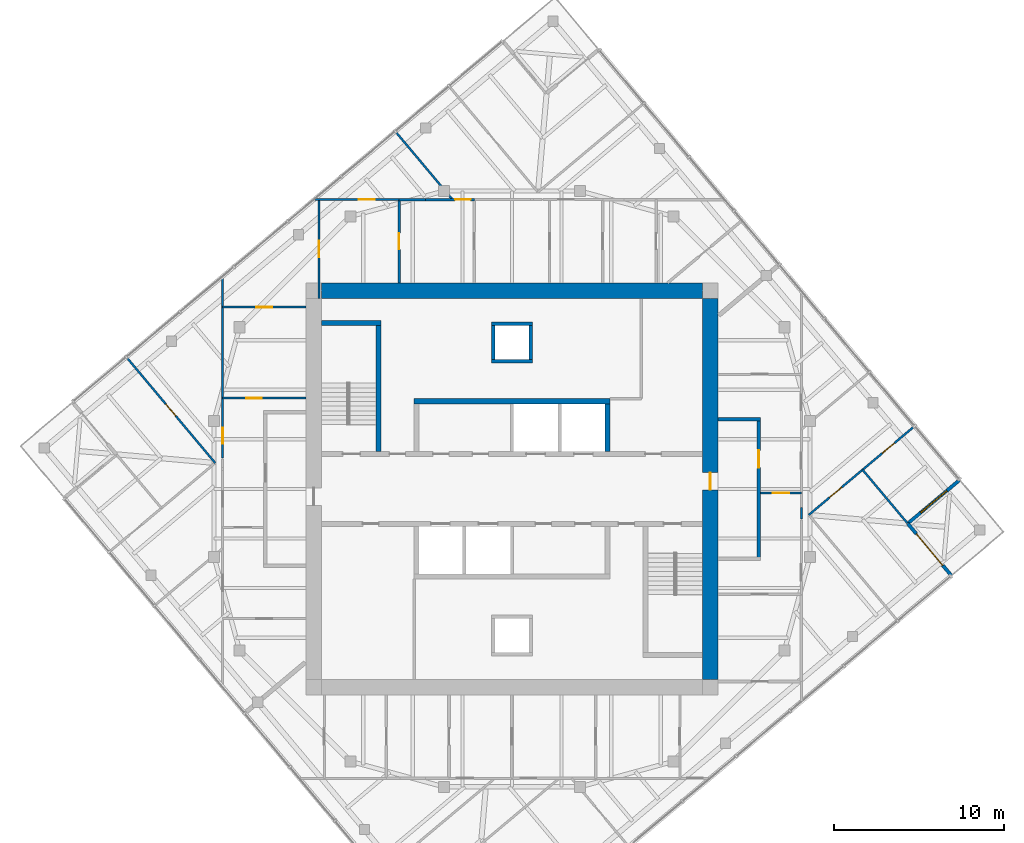
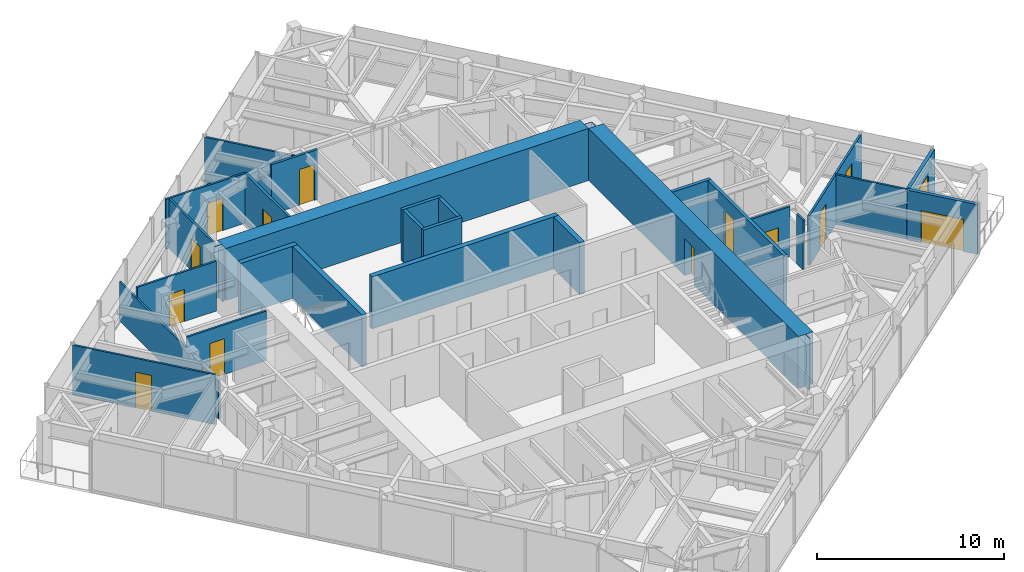
# One storey, part 9 of 11: 28 walls, 14 doors, 1 window, 15 openings.
"""IFC4 building model written with IfcOpenShell, lengths in metres."""

import ifcopenshell
import ifcopenshell.guid

model = None  # the IFC model being written
_history = None  # IfcOwnerHistory: only IFC2X3 demands one
_inside = {}  # id of a spatial element -> (the spatial element, [elements in it])
_under = {}  # id of a project, library or spatial element -> (it, [spatial elements below it])
_declared = {}  # id of a project -> (the project, [libraries it declares])
_typed = {}  # id of a type object -> (the type object, [elements of that type])
_made_of = {}  # id of a material, layer set ... -> (it, [elements and type objects made of it])


def new_model(schema):
    """Start an empty IFC model of exactly this schema.

    Asked for "IFC4X3", IfcOpenShell would pick the latest addendum, in which some entities
    have other attributes; the version numbers below select the first issue.
    IFC2X3 requires an IfcOwnerHistory on every rooted entity: one is made here for all.
    """
    global model, _history
    if schema == "IFC4X3":
        model = ifcopenshell.file(schema_version=(4, 3, 0, 0))
    else:
        model = ifcopenshell.file(schema=schema)
    _inside.clear()
    _under.clear()
    _declared.clear()
    _typed.clear()
    _made_of.clear()
    _history = None
    if model.schema == "IFC2X3":
        org = make("IfcOrganization", Name="unknown")
        user = make(
            "IfcPersonAndOrganization",
            ThePerson=make("IfcPerson", FamilyName="unknown"),
            TheOrganization=org,
        )
        app = make(
            "IfcApplication",
            ApplicationDeveloper=org,
            Version="unknown",
            ApplicationFullName="unknown",
            ApplicationIdentifier="unknown",
        )
        _history = make(
            "IfcOwnerHistory",
            OwningUser=user,
            OwningApplication=app,
            ChangeAction="ADDED",
            CreationDate=0,
        )
    return model


def make(cls, **values):
    """One entity of the class cls with the attributes given. An attribute that is None is left unset."""
    return model.create_entity(
        cls, **{name: value for name, value in values.items() if value is not None}
    )


def rooted(cls, **values):
    """An entity with a GlobalId (a new one), such as an element, a storey or a relation."""
    return make(cls, GlobalId=ifcopenshell.guid.new(), OwnerHistory=_history, **values)


def si_unit(unit_type, name, prefix=None):
    """IfcSIUnit, for example si_unit("LENGTHUNIT", "METRE", prefix="MILLI")."""
    return make("IfcSIUnit", UnitType=unit_type, Prefix=prefix, Name=name)


def assignment(units):
    """IfcUnitAssignment: the units of a project."""
    return None if units is None else make("IfcUnitAssignment", Units=units)


def point(xyz):
    """IfcCartesianPoint."""
    return None if xyz is None else make("IfcCartesianPoint", Coordinates=xyz)


def direction(xyz):
    """IfcDirection."""
    return None if xyz is None else make("IfcDirection", DirectionRatios=xyz)


def frame(location, z_axis=None, x_axis=None):
    """IfcAxis2Placement3D, a coordinate frame: its origin and axes. An axis left out is left unset."""
    return make(
        "IfcAxis2Placement3D",
        Location=point(location),
        Axis=direction(z_axis),
        RefDirection=direction(x_axis),
    )


def frame_2d(location, x_axis=None):
    """IfcAxis2Placement2D, a coordinate frame in the plane: its origin and x axis."""
    return make(
        "IfcAxis2Placement2D", Location=point(location), RefDirection=direction(x_axis)
    )


def origin():
    """The frame at (0, 0, 0) with its axes left unset."""
    return frame((0.0, 0.0, 0.0))


def place(relative_to, where):
    """IfcLocalPlacement: puts the frame where relative to a parent placement (None: the world)."""
    return make(
        "IfcLocalPlacement", PlacementRelTo=relative_to, RelativePlacement=where
    )


def context(
    kind, dimensions, precision=None, world=None, true_north=None, identifier=None
):
    """IfcGeometricRepresentationContext, for example the 3D "Model" context."""
    return make(
        "IfcGeometricRepresentationContext",
        ContextIdentifier=identifier,
        ContextType=kind,
        CoordinateSpaceDimension=dimensions,
        Precision=precision,
        WorldCoordinateSystem=world,
        TrueNorth=true_north,
    )


def subcontext(parent, identifier, kind, view, scale=None):
    """IfcGeometricRepresentationSubContext, for example "Body" below "Model"."""
    return make(
        "IfcGeometricRepresentationSubContext",
        ContextIdentifier=identifier,
        ContextType=kind,
        ParentContext=parent,
        TargetScale=scale,
        TargetView=view,
    )


def project(units=None, contexts=None):
    """IfcProject with its units and contexts."""
    return rooted(
        "IfcProject",
        Name="project",
        RepresentationContexts=contexts,
        UnitsInContext=assignment(units),
    )


def spatial(cls, under=None, at=None, **own):
    """A site, building, storey or space (cls), placed at a placement, below another one or the project."""
    s = rooted(cls, ObjectPlacement=at, **own)
    if under is not None:
        _under.setdefault(under.id(), (under, []))[1].append(s)
    return s


def polyline(points):
    """IfcPolyline through the points."""
    return make("IfcPolyline", Points=[point(p) for p in points])


def profile(cls, at=None, kind="AREA", **sizes):
    """A parametric profile (cls). Its sizes go by their IFC names, for example OverallWidth=200.0."""
    return make(cls, ProfileType=kind, Position=at, **sizes)


def rectangle(**sizes):
    """IfcRectangleProfileDef."""
    return profile("IfcRectangleProfileDef", **sizes)


def outline(outer, holes=None, kind="AREA"):
    """IfcArbitraryClosedProfileDef: a profile drawn as a closed curve; with holes, ...WithVoids."""
    if holes is None:
        return make("IfcArbitraryClosedProfileDef", ProfileType=kind, OuterCurve=outer)
    return make(
        "IfcArbitraryProfileDefWithVoids",
        ProfileType=kind,
        OuterCurve=outer,
        InnerCurves=holes,
    )


def extrude(swept, where, along, depth):
    """IfcExtrudedAreaSolid: the profile swept, set in the frame where, extruded along a direction by depth."""
    return make(
        "IfcExtrudedAreaSolid",
        SweptArea=swept,
        Position=where,
        ExtrudedDirection=direction(along),
        Depth=depth,
    )


def shape(context_of_items, identifier, shape_type, items):
    """IfcShapeRepresentation: the items that make up one representation, for example the "Body"."""
    return make(
        "IfcShapeRepresentation",
        ContextOfItems=context_of_items,
        RepresentationIdentifier=identifier,
        RepresentationType=shape_type,
        Items=items,
    )


def material(Name=None, Category=None):
    """IfcMaterial."""
    return make("IfcMaterial", Name=Name, Category=Category)


def layer(
    of_material, thickness, ventilated=None, Name=None, Category=None, Priority=None
):
    """IfcMaterialLayer: one layer of a wall or slab, of a material (None: an air gap)."""
    return make(
        "IfcMaterialLayer",
        Material=of_material,
        LayerThickness=thickness,
        IsVentilated=ventilated,
        Name=Name,
        Category=Category,
        Priority=Priority,
    )


def layer_set(layers, Name=None):
    """IfcMaterialLayerSet."""
    return make("IfcMaterialLayerSet", MaterialLayers=layers, LayerSetName=Name)


def made_of(thing, what):
    """Note that an element or type object is made of a material, layer set ...; save() writes the relation."""
    if what is not None:
        _made_of.setdefault(what.id(), (what, []))[1].append(thing)
    return thing


def type_object(cls, material=None, **own):
    """A type object (cls), such as IfcWallType, which elements share."""
    return made_of(rooted(cls, **own), material)


def element(
    cls,
    number,
    at=None,
    inside=None,
    cuts=None,
    type_object=None,
    material=None,
    context=None,
    identifier="Body",
    shape_type=None,
    held_by="IfcProductDefinitionShape",
    body=None,
    shapes=None,
    **own,
):
    """One element of the class cls, such as IfcWall. Its Tag is "e" and its number.

    at: its placement. inside: the storey or other place that contains it. cuts: it is an
    opening in that element (IfcRelVoidsElement). A single representation is given by context,
    identifier, shape_type and body (its items); several are given by shapes. held_by: the class
    of the entity that holds the representations. save() writes the other relations.
    """
    e = rooted(cls, Tag="e%d" % number, ObjectPlacement=at, **own)
    if body is not None:
        shapes = [shape(context, identifier, shape_type, body)]
    if shapes is not None:
        e.Representation = make(held_by, Representations=shapes)
    if inside is not None:
        _inside.setdefault(inside.id(), (inside, []))[1].append(e)
    if cuts is not None:
        rooted(
            "IfcRelVoidsElement", RelatingBuildingElement=cuts, RelatedOpeningElement=e
        )
    if type_object is not None:
        _typed.setdefault(type_object.id(), (type_object, []))[1].append(e)
    return made_of(e, material)


def fill(opening, filler):
    """IfcRelFillsElement: the door or window that sits in an opening."""
    return rooted(
        "IfcRelFillsElement",
        RelatingOpeningElement=opening,
        RelatedBuildingElement=filler,
    )


def aggregate(whole, parts):
    """IfcRelAggregates: a whole, such as a stair, and the parts it consists of."""
    return rooted("IfcRelAggregates", RelatingObject=whole, RelatedObjects=parts)


def save(model, path):
    """Write the relations noted so far, then the file.

    IfcRelAggregates (storeys below a building ...), IfcRelContainedInSpatialStructure (elements
    in a storey), IfcRelDefinesByType, IfcRelAssociatesMaterial and IfcRelDeclares: one each for
    every whole, place, type object, material and project.
    """
    for whole, parts in _under.values():
        aggregate(whole, parts)
    for where, things in _inside.values():
        rooted(
            "IfcRelContainedInSpatialStructure",
            RelatedElements=things,
            RelatingStructure=where,
        )
    for kind, things in _typed.values():
        rooted("IfcRelDefinesByType", RelatedObjects=things, RelatingType=kind)
    for what, things in _made_of.values():
        rooted("IfcRelAssociatesMaterial", RelatedObjects=things, RelatingMaterial=what)
    for by, libraries in _declared.values():
        rooted("IfcRelDeclares", RelatingContext=by, RelatedDefinitions=libraries)
    model.write(path)


model = new_model("IFC4")

# Units and contexts
model_context = context("Model", 3, precision=1e-05, world=origin(), true_north=direction((0.0, 1.0)))
body_context = subcontext(model_context, "Body", "Model", "MODEL_VIEW")
ifc_project = project(units=[si_unit("LENGTHUNIT", "METRE"), si_unit("AREAUNIT", "SQUARE_METRE"), si_unit("VOLUMEUNIT", "CUBIC_METRE"), si_unit("PLANEANGLEUNIT", "RADIAN"), si_unit("MASSUNIT", "GRAM", prefix="KILO")], contexts=[model_context])

# Site, building, storey
site_placement = place(None, origin())
site = spatial("IfcSite", under=ifc_project, at=site_placement, CompositionType="ELEMENT")
building_placement = place(site_placement, origin())
building = spatial("IfcBuilding", under=site, at=building_placement, Name="Torsade Residences", CompositionType="ELEMENT")
storey_placement = place(building_placement, frame((0.0, 0.0, 272.60009765625)))
storey = spatial("IfcBuildingStorey", under=building, at=storey_placement, Name="L75", CompositionType="ELEMENT", Elevation=272.60009765625)

# Walls
ifc_material_1 = material(Name="Concrete 80 MPa", Category="concrete")
ifc_layer_1 = layer(ifc_material_1, 0.300048828125)
ifc_layer_set_1 = layer_set([ifc_layer_1], Name="Concrete 80 MPa")
wall_type_1 = type_object("IfcWallType", Name="CORE INTERNAL WALL 300", PredefinedType="SHEAR", material=ifc_layer_set_1)
wall_1_placement = place(storey_placement, frame((34.25, 35.14990234375, 0.0), z_axis=(0.0, 0.0, 1.0), x_axis=(1.0, 0.0, 0.0)))
element("IfcWall", 1, at=wall_1_placement, inside=storey, type_object=wall_type_1, Name="Core wall BN L75", PredefinedType="SHEAR", context=body_context, shape_type="SweptSolid", body=[
    extrude(rectangle(XDim=11.5, YDim=0.300048828125, at=frame_2d((5.75, 0.0))), origin(), (0.0, 0.0, 1.0), 3.39990234375),
])
wall_2_placement = place(storey_placement, frame((45.60009765625, 32.199951171875, 0.0), z_axis=(0.0, 0.0, 1.0), x_axis=(0.0, 1.0, 0.0)))
element("IfcWall", 2, at=wall_2_placement, inside=storey, type_object=wall_type_1, Name="Core wall DN4 L75", PredefinedType="SHEAR", context=body_context, shape_type="SweptSolid", body=[
    extrude(rectangle(XDim=2.800048828125, YDim=0.300048828125, at=frame_2d((1.39990234375, 0.0))), origin(), (0.0, 0.0, 1.0), 3.39990234375),
])
wall_3_placement = place(storey_placement, frame((32.14990234375, 32.199951171875, 0.0), z_axis=(0.0, 0.0, 1.0), x_axis=(0.0, 1.0, 0.0)))
element("IfcWall", 3, at=wall_3_placement, inside=storey, type_object=wall_type_1, Name="Core wall ST1E L75", PredefinedType="SHEAR", context=body_context, shape_type="SweptSolid", body=[
    extrude(rectangle(XDim=7.699951171875, YDim=0.300048828125, at=frame_2d((3.85009765625, 0.0))), origin(), (0.0, 0.0, 1.0), 3.39990234375),
])
wall_4_placement = place(storey_placement, frame((28.800048828125, 39.75, 0.0), z_axis=(0.0, 0.0, 1.0), x_axis=(1.0, 0.0, 0.0)))
element("IfcWall", 4, at=wall_4_placement, inside=storey, type_object=wall_type_1, Name="Core wall ST1N L75", PredefinedType="SHEAR", context=body_context, shape_type="SweptSolid", body=[
    extrude(rectangle(XDim=3.5, YDim=0.300048828125, at=frame_2d((1.75, 0.0))), origin(), (0.0, 0.0, 1.0), 3.39990234375),
])
ifc_material_2 = material(Name="Concrete 80 MPa", Category="concrete")
ifc_layer_2 = layer(ifc_material_2, 0.89990234375)
ifc_layer_set_2 = layer_set([ifc_layer_2], Name="Concrete 80 MPa")
wall_type_2 = type_object("IfcWallType", Name="CORE WALL 900", PredefinedType="SHEAR", material=ifc_layer_set_2)
wall_5_placement = place(storey_placement, frame((28.800048828125, 41.64990234375, 0.0), z_axis=(0.0, 0.0, 1.0), x_axis=(1.0, 0.0, 0.0)))
element("IfcWall", 5, at=wall_5_placement, inside=storey, type_object=wall_type_2, Name="Core wall N L75", PredefinedType="SHEAR", context=body_context, shape_type="SweptSolid", body=[
    extrude(outline(polyline([(0.0, -0.449951171875), (22.39990234375, -0.449951171875), (22.39990234375, -0.02490234375), (22.849853515625, -0.02490234375), (22.849853515625, 0.02490234375), (22.39990234375, 0.02490234375), (22.39990234375, 0.449951171875), (0.0, 0.449951171875), (0.0, 0.02490234375), (-0.449951171875, 0.02490234375), (-0.449951171875, -0.02490234375), (0.0, -0.02490234375), (0.0, -0.449951171875)])), origin(), (0.0, 0.0, 1.0), 3.39990234375),
])

# Wall, opening, door
wall_6_placement = place(storey_placement, frame((51.64990234375, 18.800048828125, 0.0), z_axis=(0.0, 0.0, 1.0), x_axis=(0.0, 1.0, 0.0)))
wall_6 = element("IfcWall", 6, at=wall_6_placement, inside=storey, type_object=wall_type_2, Name="Core wall E L75", PredefinedType="SHEAR", context=body_context, shape_type="SweptSolid", body=[
    extrude(outline(polyline([(0.0, -0.449951171875), (22.39990234375, -0.449951171875), (22.39990234375, -0.02490234375), (22.849853515625, -0.02490234375), (22.849853515625, 0.02490234375), (22.39990234375, 0.02490234375), (22.39990234375, 0.449951171875), (0.0, 0.449951171875), (0.0, 0.02490234375), (-0.449951171875, 0.02490234375), (-0.449951171875, -0.02490234375), (0.0, -0.02490234375), (0.0, -0.449951171875)])), origin(), (0.0, 0.0, 1.0), 3.39990234375),
])
opening_1_placement = place(wall_6_placement, frame((11.139892578125, 0.0, 0.0)))
opening_1 = element("IfcOpeningElement", 7, at=opening_1_placement, cuts=wall_6, Name="Opening D04", PredefinedType="OPENING", context=body_context, shape_type="SweptSolid", body=[
    extrude(rectangle(XDim=1.02001953125, YDim=2.39990234375, at=frame_2d((0.510009765625, 1.199951171875))), frame((0.0, 0.4599609375, 0.0), z_axis=(0.0, -1.0, 0.0), x_axis=(1.0, 0.0, 0.0)), (0.0, 0.0, 1.0), 0.919921875),
])
ifc_material_3 = material(Name="Steel-framed fire door", Category="steel")
door_type_1 = type_object("IfcDoorType", Name="LOBBY SMOKE DOOR 1020x2400", OperationType="NOTDEFINED", PredefinedType="DOOR", material=ifc_material_3)
door_1_placement = place(opening_1_placement, origin())
door_1 = element("IfcDoor", 8, at=door_1_placement, inside=storey, type_object=door_type_1, Name="Lift lobby door E L75", OperationType="SINGLE_SWING_LEFT", OverallHeight=2.39990234375, OverallWidth=1.02001953125, PredefinedType="DOOR", context=body_context, shape_type="SweptSolid", body=[
    extrude(rectangle(XDim=1.02001953125, YDim=2.39990234375, at=frame_2d((0.510009765625, 1.199951171875))), frame((0.0, 0.02490234375, 0.0), z_axis=(0.0, -1.0, 0.0), x_axis=(1.0, 0.0, 0.0)), (0.0, 0.0, 1.0), 0.050048828125),
])
fill(opening_1, door_1)

ifc_material_4 = material(Name="Plasterboard on steel stud", Category="steel")
ifc_layer_3 = layer(ifc_material_4, 0.199951171875)
ifc_layer_set_3 = layer_set([ifc_layer_3], Name="Plasterboard on steel stud")
wall_type_3 = type_object("IfcWallType", Name="CORRIDOR WALL 200", PredefinedType="PARTITIONING", material=ifc_layer_set_3)
wall_7_placement = place(storey_placement, frame((54.5, 25.89990234375, 0.0), z_axis=(0.0, 0.0, 1.0), x_axis=(0.0, 1.0, 0.0)))
wall_7 = element("IfcWall", 9, at=wall_7_placement, inside=storey, type_object=wall_type_3, Name="Corridor wall L75", PredefinedType="PARTITIONING", context=body_context, shape_type="SweptSolid", body=[
    extrude(rectangle(XDim=8.2001953125, YDim=0.199951171875, at=frame_2d((4.10009765625, 0.0))), origin(), (0.0, 0.0, 1.0), 3.25),
])
opening_2_placement = place(wall_7_placement, frame((5.345703125, 0.0, 0.0)))
opening_2 = element("IfcOpeningElement", 10, at=opening_2_placement, cuts=wall_7, Name="Opening D01", PredefinedType="OPENING", context=body_context, shape_type="SweptSolid", body=[
    extrude(rectangle(XDim=1.02001953125, YDim=2.340087890625, at=frame_2d((0.510009765625, 1.169921875))), frame((0.0, 0.10986328125, 0.0), z_axis=(0.0, -1.0, 0.0), x_axis=(1.0, 0.0, 0.0)), (0.0, 0.0, 1.0), 0.219970703125),
])
ifc_material_5 = material(Name="Solid-core timber fire door", Category="wood")
door_type_2 = type_object("IfcDoorType", Name="APARTMENT ENTRY DOOR 1020x2340", OperationType="NOTDEFINED", PredefinedType="DOOR", material=ifc_material_5)
door_2_placement = place(opening_2_placement, origin())
door_2 = element("IfcDoor", 11, at=door_2_placement, inside=storey, type_object=door_type_2, Name="Door Residential corridor to Kitchen and dining", OperationType="SINGLE_SWING_RIGHT", OverallHeight=2.340087890625, OverallWidth=1.02001953125, PredefinedType="DOOR", context=body_context, shape_type="SweptSolid", body=[
    extrude(rectangle(XDim=1.02001953125, YDim=2.340087890625, at=frame_2d((0.510009765625, 1.169921875))), frame((0.0, 0.02490234375, 0.0), z_axis=(0.0, -1.0, 0.0), x_axis=(1.0, 0.0, 0.0)), (0.0, 0.0, 1.0), 0.050048828125),
])
fill(opening_2, door_2)

# Wall
wall_8_placement = place(storey_placement, frame((52.10009765625, 34.10009765625, 0.0), z_axis=(0.0, 0.0, 1.0), x_axis=(1.0, 0.0, 0.0)))
element("IfcWall", 12, at=wall_8_placement, inside=storey, type_object=wall_type_3, Name="Corridor wall L75", PredefinedType="PARTITIONING", context=body_context, shape_type="SweptSolid", body=[
    extrude(rectangle(XDim=2.5, YDim=0.199951171875, at=frame_2d((1.25, 0.0))), origin(), (0.0, 0.0, 1.0), 3.25),
])

# Wall, opening, door
ifc_material_6 = material(Name="Plasterboard on steel stud", Category="steel")
ifc_layer_4 = layer(ifc_material_6, 0.1201171875)
ifc_layer_set_4 = layer_set([ifc_layer_4], Name="Plasterboard on steel stud")
wall_type_4 = type_object("IfcWallType", Name="PARTITION 120", PredefinedType="PARTITIONING", material=ifc_layer_set_4)
wall_9_placement = place(storey_placement, frame((57.0, 29.761474609375, 0.0), z_axis=(0.0, 0.0, 1.0), x_axis=(-1.0, 0.0, 0.0)))
wall_9 = element("IfcWall", 13, at=wall_9_placement, inside=storey, type_object=wall_type_4, Name="Partition L75", PredefinedType="PARTITIONING", context=body_context, shape_type="SweptSolid", body=[
    extrude(rectangle(XDim=2.39990234375, YDim=0.1201171875, at=frame_2d((1.199951171875, 0.0))), origin(), (0.0, 0.0, 1.0), 3.25),
])
opening_3_placement = place(wall_9_placement, frame((0.719970703125, 0.0, 0.0)))
opening_3 = element("IfcOpeningElement", 14, at=opening_3_placement, cuts=wall_9, Name="Opening D05", PredefinedType="OPENING", context=body_context, shape_type="SweptSolid", body=[
    extrude(rectangle(XDim=0.9599609375, YDim=2.10009765625, at=frame_2d((0.47998046875, 1.050048828125))), frame((0.0, 0.070068359375, 0.0), z_axis=(0.0, -1.0, 0.0), x_axis=(1.0, 0.0, 0.0)), (0.0, 0.0, 1.0), 0.14013671875),
])
ifc_material_7 = material(Name="Hollow-core timber door in a steel cavity frame", Category="steel")
door_type_3 = type_object("IfcDoorType", Name="BATHROOM CAVITY SLIDING DOOR 960", OperationType="SLIDING_TO_LEFT", PredefinedType="DOOR", material=ifc_material_7)
door_3_placement = place(opening_3_placement, origin())
door_3 = element("IfcDoor", 15, at=door_3_placement, inside=storey, type_object=door_type_3, Name="Door Kitchen and dining to Bathroom", OperationType="SLIDING_TO_LEFT", OverallHeight=2.10009765625, OverallWidth=0.9599609375, PredefinedType="DOOR", context=body_context, shape_type="SweptSolid", body=[
    extrude(rectangle(XDim=0.9599609375, YDim=2.10009765625, at=frame_2d((0.47998046875, 1.050048828125))), frame((0.0, 0.02490234375, 0.0), z_axis=(0.0, -1.0, 0.0), x_axis=(1.0, 0.0, 0.0)), (0.0, 0.0, 1.0), 0.050048828125),
])
fill(opening_3, door_3)

# Wall, openings, doors
wall_10_placement = place(storey_placement, frame((57.434326171875, 28.474609375, 0.0), z_axis=(0.0, 0.0, 1.0), x_axis=(0.766033729027, 0.642800378028, 0.0)))
wall_10 = element("IfcWall", 16, at=wall_10_placement, inside=storey, type_object=wall_type_4, Name="Partition L75", PredefinedType="PARTITIONING", context=body_context, shape_type="SweptSolid", body=[
    extrude(rectangle(XDim=8.0849609375, YDim=0.1201171875, at=frame_2d((4.04248046875, 0.0))), origin(), (0.0, 0.0, 1.0), 3.25),
])
opening_4_placement = place(wall_10_placement, frame((1.6025390625, 0.0, 0.0)))
opening_4 = element("IfcOpeningElement", 17, at=opening_4_placement, cuts=wall_10, Name="Opening D02", PredefinedType="OPENING", context=body_context, shape_type="SweptSolid", body=[
    extrude(rectangle(XDim=0.919921875, YDim=2.340087890625, at=frame_2d((0.4599609375, 1.169921875))), frame((0.0, 0.070068359375, 0.0), z_axis=(0.0, -1.0, 0.0), x_axis=(1.0, 0.0, 0.0)), (0.0, 0.0, 1.0), 0.14013671875),
])
opening_5_placement = place(wall_10_placement, frame((5.639892578125, 0.0, 0.0)))
opening_5 = element("IfcOpeningElement", 18, at=opening_5_placement, cuts=wall_10, Name="Opening D02", PredefinedType="OPENING", context=body_context, shape_type="SweptSolid", body=[
    extrude(rectangle(XDim=0.919921875, YDim=2.340087890625, at=frame_2d((0.4599609375, 1.169921875))), frame((0.0, 0.070068359375, 0.0), z_axis=(0.0, -1.0, 0.0), x_axis=(1.0, 0.0, 0.0)), (0.0, 0.0, 1.0), 0.14013671875),
])
ifc_material_8 = material(Name="Hollow-core timber door", Category="wood")
door_type_4 = type_object("IfcDoorType", Name="INTERNAL DOOR 920x2340", OperationType="NOTDEFINED", PredefinedType="DOOR", material=ifc_material_8)
door_4_placement = place(opening_4_placement, origin())
door_4 = element("IfcDoor", 19, at=door_4_placement, inside=storey, type_object=door_type_4, Name="Door Bedroom 4 to Bedroom 1", OperationType="SINGLE_SWING_LEFT", OverallHeight=2.340087890625, OverallWidth=0.919921875, PredefinedType="DOOR", context=body_context, shape_type="SweptSolid", body=[
    extrude(rectangle(XDim=0.919921875, YDim=2.340087890625, at=frame_2d((0.4599609375, 1.169921875))), frame((0.0, 0.02490234375, 0.0), z_axis=(0.0, -1.0, 0.0), x_axis=(1.0, 0.0, 0.0)), (0.0, 0.0, 1.0), 0.050048828125),
])
fill(opening_4, door_4)
door_5_placement = place(opening_5_placement, origin())
door_5 = element("IfcDoor", 20, at=door_5_placement, inside=storey, type_object=door_type_4, Name="Door Bedroom 4 to Study 2", OperationType="SINGLE_SWING_RIGHT", OverallHeight=2.340087890625, OverallWidth=0.919921875, PredefinedType="DOOR", context=body_context, shape_type="SweptSolid", body=[
    extrude(rectangle(XDim=0.919921875, YDim=2.340087890625, at=frame_2d((0.4599609375, 1.169921875))), frame((0.0, 0.02490234375, 0.0), z_axis=(0.0, -1.0, 0.0), x_axis=(1.0, 0.0, 0.0)), (0.0, 0.0, 1.0), 0.050048828125),
])
fill(opening_5, door_5)

# Wall
wall_11_placement = place(storey_placement, frame((60.59423828125, 31.126220703125, 0.0), z_axis=(0.0, 0.0, 1.0), x_axis=(0.642767300664, -0.766061483953, 0.0)))
element("IfcWall", 21, at=wall_11_placement, inside=storey, type_object=wall_type_4, Name="Partition L75", PredefinedType="PARTITIONING", context=body_context, shape_type="SweptSolid", body=[
    extrude(rectangle(XDim=4.0849609375, YDim=0.1201171875, at=frame_2d((2.04248046875, 0.0))), origin(), (0.0, 0.0, 1.0), 3.25),
])

# Wall, opening, door
wall_12_placement = place(storey_placement, frame((23.0, 35.333251953125, 0.0), z_axis=(0.0, 0.0, 1.0), x_axis=(1.0, 0.0, 0.0)))
wall_12 = element("IfcWall", 22, at=wall_12_placement, inside=storey, type_object=wall_type_4, Name="Partition L75", PredefinedType="PARTITIONING", context=body_context, shape_type="SweptSolid", body=[
    extrude(rectangle(XDim=4.89990234375, YDim=0.1201171875, at=frame_2d((2.449951171875, 0.0))), origin(), (0.0, 0.0, 1.0), 3.25),
])
opening_6_placement = place(wall_12_placement, frame((1.389892578125, 0.0, 0.0)))
opening_6 = element("IfcOpeningElement", 23, at=opening_6_placement, cuts=wall_12, Name="Opening D02", PredefinedType="OPENING", context=body_context, shape_type="SweptSolid", body=[
    extrude(rectangle(XDim=0.919921875, YDim=2.340087890625, at=frame_2d((0.4599609375, 1.169921875))), frame((0.0, 0.070068359375, 0.0), z_axis=(0.0, -1.0, 0.0), x_axis=(1.0, 0.0, 0.0)), (0.0, 0.0, 1.0), 0.14013671875),
])
door_6_placement = place(opening_6_placement, origin())
door_6 = element("IfcDoor", 24, at=door_6_placement, inside=storey, type_object=door_type_4, Name="Door Kitchen and dining to Scullery", OperationType="SINGLE_SWING_LEFT", OverallHeight=2.340087890625, OverallWidth=0.919921875, PredefinedType="DOOR", context=body_context, shape_type="SweptSolid", body=[
    extrude(rectangle(XDim=0.919921875, YDim=2.340087890625, at=frame_2d((0.4599609375, 1.169921875))), frame((0.0, 0.02490234375, 0.0), z_axis=(0.0, -1.0, 0.0), x_axis=(1.0, 0.0, 0.0)), (0.0, 0.0, 1.0), 0.050048828125),
])
fill(opening_6, door_6)

wall_13_placement = place(storey_placement, frame((23.0, 31.824462890625, 0.0), z_axis=(0.0, 0.0, 1.0), x_axis=(0.0, 1.0, 0.0)))
wall_13 = element("IfcWall", 25, at=wall_13_placement, inside=storey, type_object=wall_type_4, Name="Partition L75", PredefinedType="PARTITIONING", context=body_context, shape_type="SweptSolid", body=[
    extrude(rectangle(XDim=10.619384765625, YDim=0.1201171875, at=frame_2d((5.3095703125, 0.0))), origin(), (0.0, 0.0, 1.0), 2.5498046875),
])
opening_7_placement = place(wall_13_placement, frame((0.844482421875, 0.0, 0.0)))
opening_7 = element("IfcOpeningElement", 26, at=opening_7_placement, cuts=wall_13, Name="Opening D02", PredefinedType="OPENING", context=body_context, shape_type="SweptSolid", body=[
    extrude(rectangle(XDim=0.919921875, YDim=2.340087890625, at=frame_2d((0.4599609375, 1.169921875))), frame((0.0, 0.070068359375, 0.0), z_axis=(0.0, -1.0, 0.0), x_axis=(1.0, 0.0, 0.0)), (0.0, 0.0, 1.0), 0.14013671875),
])
door_7_placement = place(opening_7_placement, origin())
door_7 = element("IfcDoor", 27, at=door_7_placement, inside=storey, type_object=door_type_4, Name="Door Kitchen and dining to Bedroom 3", OperationType="SINGLE_SWING_RIGHT", OverallHeight=2.340087890625, OverallWidth=0.919921875, PredefinedType="DOOR", context=body_context, shape_type="SweptSolid", body=[
    extrude(rectangle(XDim=0.919921875, YDim=2.340087890625, at=frame_2d((0.4599609375, 1.169921875))), frame((0.0, 0.02490234375, 0.0), z_axis=(0.0, -1.0, 0.0), x_axis=(1.0, 0.0, 0.0)), (0.0, 0.0, 1.0), 0.050048828125),
])
fill(opening_7, door_7)

wall_14_placement = place(storey_placement, frame((23.0, 40.67626953125, 0.0), z_axis=(0.0, 0.0, 1.0), x_axis=(1.0, 0.0, 0.0)))
wall_14 = element("IfcWall", 28, at=wall_14_placement, inside=storey, type_object=wall_type_4, Name="Partition L75", PredefinedType="PARTITIONING", context=body_context, shape_type="SweptSolid", body=[
    extrude(rectangle(XDim=4.89990234375, YDim=0.1201171875, at=frame_2d((2.449951171875, 0.0))), origin(), (0.0, 0.0, 1.0), 3.25),
])
opening_8_placement = place(wall_14_placement, frame((1.989990234375, 0.0, 0.0)))
opening_8 = element("IfcOpeningElement", 29, at=opening_8_placement, cuts=wall_14, Name="Opening D02L", PredefinedType="OPENING", context=body_context, shape_type="SweptSolid", body=[
    extrude(rectangle(XDim=0.919921875, YDim=2.10009765625, at=frame_2d((0.4599609375, 1.050048828125))), frame((0.0, 0.070068359375, 0.0), z_axis=(0.0, -1.0, 0.0), x_axis=(1.0, 0.0, 0.0)), (0.0, 0.0, 1.0), 0.14013671875),
])
ifc_material_9 = material(Name="Hollow-core timber door", Category="wood")
door_type_5 = type_object("IfcDoorType", Name="INTERNAL DOOR 920x2100", OperationType="NOTDEFINED", PredefinedType="DOOR", material=ifc_material_9)
door_8_placement = place(opening_8_placement, origin())
door_8 = element("IfcDoor", 30, at=door_8_placement, inside=storey, type_object=door_type_5, Name="Door Scullery to Dressing room 2", OperationType="SINGLE_SWING_LEFT", OverallHeight=2.10009765625, OverallWidth=0.919921875, PredefinedType="DOOR", context=body_context, shape_type="SweptSolid", body=[
    extrude(rectangle(XDim=0.919921875, YDim=2.10009765625, at=frame_2d((0.4599609375, 1.050048828125))), frame((0.0, 0.02490234375, 0.0), z_axis=(0.0, -1.0, 0.0), x_axis=(1.0, 0.0, 0.0)), (0.0, 0.0, 1.0), 0.050048828125),
])
fill(opening_8, door_8)

wall_15_placement = place(storey_placement, frame((28.66259765625, 41.179931640625, 0.0), z_axis=(0.0, 0.0, 1.0), x_axis=(0.0, 1.0, 0.0)))
wall_15 = element("IfcWall", 31, at=wall_15_placement, inside=storey, type_object=wall_type_4, Name="Partition L75", PredefinedType="PARTITIONING", context=body_context, shape_type="SweptSolid", body=[
    extrude(rectangle(XDim=5.820068359375, YDim=0.1201171875, at=frame_2d((2.91015625, 0.0))), origin(), (0.0, 0.0, 1.0), 3.25),
])
opening_9_placement = place(wall_15_placement, frame((2.43994140625, 0.0, 0.0)))
opening_9 = element("IfcOpeningElement", 32, at=opening_9_placement, cuts=wall_15, Name="Opening D05", PredefinedType="OPENING", context=body_context, shape_type="SweptSolid", body=[
    extrude(rectangle(XDim=0.9599609375, YDim=2.10009765625, at=frame_2d((0.47998046875, 1.050048828125))), frame((0.0, 0.070068359375, 0.0), z_axis=(0.0, -1.0, 0.0), x_axis=(1.0, 0.0, 0.0)), (0.0, 0.0, 1.0), 0.14013671875),
])
door_9_placement = place(opening_9_placement, origin())
door_9 = element("IfcDoor", 33, at=door_9_placement, inside=storey, type_object=door_type_3, Name="Door Dressing room 2 to Ensuite", OperationType="SLIDING_TO_LEFT", OverallHeight=2.10009765625, OverallWidth=0.9599609375, PredefinedType="DOOR", context=body_context, shape_type="SweptSolid", body=[
    extrude(rectangle(XDim=0.9599609375, YDim=2.10009765625, at=frame_2d((0.47998046875, 1.050048828125))), frame((0.0, 0.02490234375, 0.0), z_axis=(0.0, -1.0, 0.0), x_axis=(1.0, 0.0, 0.0)), (0.0, 0.0, 1.0), 0.050048828125),
])
fill(opening_9, door_9)

wall_16_placement = place(storey_placement, frame((28.4296875, 47.0, 0.0), z_axis=(0.0, 0.0, 1.0), x_axis=(1.0, 0.0, 0.0)))
wall_16 = element("IfcWall", 34, at=wall_16_placement, inside=storey, type_object=wall_type_4, Name="Partition L75", PredefinedType="PARTITIONING", context=body_context, shape_type="SweptSolid", body=[
    extrude(rectangle(XDim=4.934326171875, YDim=0.1201171875, at=frame_2d((2.46728515625, 0.0))), origin(), (0.0, 0.0, 1.0), 3.25),
])
opening_10_placement = place(wall_16_placement, frame((2.553466796875, 0.0, 0.0)))
opening_10 = element("IfcOpeningElement", 35, at=opening_10_placement, cuts=wall_16, Name="Opening D05", PredefinedType="OPENING", context=body_context, shape_type="SweptSolid", body=[
    extrude(rectangle(XDim=0.9599609375, YDim=2.10009765625, at=frame_2d((0.47998046875, 1.050048828125))), frame((0.0, 0.070068359375, 0.0), z_axis=(0.0, -1.0, 0.0), x_axis=(1.0, 0.0, 0.0)), (0.0, 0.0, 1.0), 0.14013671875),
])
door_10_placement = place(opening_10_placement, origin())
door_10 = element("IfcDoor", 36, at=door_10_placement, inside=storey, type_object=door_type_3, Name="Door Ensuite to Family room", OperationType="SLIDING_TO_LEFT", OverallHeight=2.10009765625, OverallWidth=0.9599609375, PredefinedType="DOOR", context=body_context, shape_type="SweptSolid", body=[
    extrude(rectangle(XDim=0.9599609375, YDim=2.10009765625, at=frame_2d((0.47998046875, 1.050048828125))), frame((0.0, 0.02490234375, 0.0), z_axis=(0.0, -1.0, 0.0), x_axis=(1.0, 0.0, 0.0)), (0.0, 0.0, 1.0), 0.050048828125),
])
fill(opening_10, door_10)

wall_17_placement = place(storey_placement, frame((17.36865234375, 37.71875, 0.0), z_axis=(0.0, 0.0, 1.0), x_axis=(0.642800378028, -0.766033729027, 0.0)))
wall_17 = element("IfcWall", 37, at=wall_17_placement, inside=storey, type_object=wall_type_4, Name="Partition L75", PredefinedType="PARTITIONING", context=body_context, shape_type="SweptSolid", body=[
    extrude(rectangle(XDim=8.0849609375, YDim=0.1201171875, at=frame_2d((4.04248046875, 0.0))), origin(), (0.0, 0.0, 1.0), 3.25),
])
opening_11_placement = place(wall_17_placement, frame((3.5625, 0.0, 0.0)))
opening_11 = element("IfcOpeningElement", 38, at=opening_11_placement, cuts=wall_17, Name="Opening D02", PredefinedType="OPENING", context=body_context, shape_type="SweptSolid", body=[
    extrude(rectangle(XDim=0.919921875, YDim=2.340087890625, at=frame_2d((0.4599609375, 1.169921875))), frame((0.0, 0.070068359375, 0.0), z_axis=(0.0, -1.0, 0.0), x_axis=(1.0, 0.0, 0.0)), (0.0, 0.0, 1.0), 0.14013671875),
])
door_11_placement = place(opening_11_placement, origin())
door_11 = element("IfcDoor", 39, at=door_11_placement, inside=storey, type_object=door_type_4, Name="Door Bedroom 3 to Bedroom 1", OperationType="SINGLE_SWING_LEFT", OverallHeight=2.340087890625, OverallWidth=0.919921875, PredefinedType="DOOR", context=body_context, shape_type="SweptSolid", body=[
    extrude(rectangle(XDim=0.919921875, YDim=2.340087890625, at=frame_2d((0.4599609375, 1.169921875))), frame((0.0, 0.02490234375, 0.0), z_axis=(0.0, -1.0, 0.0), x_axis=(1.0, 0.0, 0.0)), (0.0, 0.0, 1.0), 0.050048828125),
])
fill(opening_11, door_11)

# Walls
wall_18_placement = place(storey_placement, frame((36.5048828125, 47.0, 0.0), z_axis=(0.0, 0.0, 1.0), x_axis=(-0.642776136034, 0.76605407051, 0.0)))
element("IfcWall", 40, at=wall_18_placement, inside=storey, type_object=wall_type_4, Name="Partition L75", PredefinedType="PARTITIONING", context=body_context, shape_type="SweptSolid", body=[
    extrude(rectangle(XDim=5.190673828125, YDim=0.1201171875, at=frame_2d((2.59521484375, 0.0))), origin(), (0.0, 0.0, 1.0), 3.25),
])
wall_19_placement = place(storey_placement, frame((57.0, 28.91455078125, 0.0), z_axis=(0.0, 0.0, 1.0), x_axis=(0.0, -1.0, 0.0)))
element("IfcWall", 41, at=wall_19_placement, inside=storey, type_object=wall_type_4, Name="Partition L75", PredefinedType="PARTITIONING", context=body_context, shape_type="SweptSolid", body=[
    extrude(rectangle(XDim=0.67578125, YDim=0.1201171875, at=frame_2d((0.337890625, 0.0))), origin(), (0.0, 0.0, 1.0), 3.25),
])
ifc_material_10 = material(Name="Reinforced blockwork", Category="masonry")
ifc_layer_5 = layer(ifc_material_10, 0.199951171875)
ifc_layer_set_5 = layer_set([ifc_layer_5], Name="Reinforced blockwork")
wall_type_5 = type_object("IfcWallType", Name="RISER SHAFT WALL 200", PredefinedType="SOLIDWALL", material=ifc_layer_set_5)
for number, where, z_axis, x_axis, name in (
    (42, (38.89990234375, 37.60009765625, 0.0), (0.0, 0.0, 1.0), (0.0, 1.0, 0.0), "Core wall RS1a L75"),
    (43, (41.10009765625, 37.60009765625, 0.0), (0.0, 0.0, 1.0), (0.0, 1.0, 0.0), "Core wall RS1b L75"),
):
    element("IfcWall", number, at=place(storey_placement, frame(where, z_axis=z_axis, x_axis=x_axis)), inside=storey, type_object=wall_type_5, Name=name, PredefinedType="SOLIDWALL", context=body_context, shape_type="SweptSolid", body=[
        extrude(rectangle(XDim=2.0, YDim=0.199951171875, at=frame_2d((1.0, 0.0))), origin(), (0.0, 0.0, 1.0), 3.39990234375),
    ])
for number, where, z_axis, x_axis, name in (
    (44, (38.800048828125, 37.5, 0.0), (0.0, 0.0, 1.0), (1.0, 0.0, 0.0), "Core wall RS1c L75"),
    (45, (38.800048828125, 39.699951171875, 0.0), (0.0, 0.0, 1.0), (1.0, 0.0, 0.0), "Core wall RS1d L75"),
):
    element("IfcWall", number, at=place(storey_placement, frame(where, z_axis=z_axis, x_axis=x_axis)), inside=storey, type_object=wall_type_5, Name=name, PredefinedType="SOLIDWALL", context=body_context, shape_type="SweptSolid", body=[
        extrude(rectangle(XDim=2.39990234375, YDim=0.199951171875, at=frame_2d((1.199951171875, 0.0))), origin(), (0.0, 0.0, 1.0), 3.39990234375),
    ])

# Wall, opening, door
ifc_material_11 = material(Name="Reinforced blockwork", Category="masonry")
ifc_layer_6 = layer(ifc_material_11, 0.14990234375)
ifc_layer_set_6 = layer_set([ifc_layer_6], Name="Reinforced blockwork")
wall_type_6 = type_object("IfcWallType", Name="SERVICE ROOM WALL 150", PredefinedType="SOLIDWALL", material=ifc_layer_set_6)
wall_20_placement = place(storey_placement, frame((33.364013671875, 47.0, 0.0), z_axis=(0.0, 0.0, 1.0), x_axis=(0.0, -1.0, 0.0)))
wall_20 = element("IfcWall", 46, at=wall_20_placement, inside=storey, type_object=wall_type_6, Name="Service room wall L75", PredefinedType="SOLIDWALL", context=body_context, shape_type="SweptSolid", body=[
    extrude(rectangle(XDim=4.89990234375, YDim=0.14990234375, at=frame_2d((2.449951171875, 0.0))), origin(), (0.0, 0.0, 1.0), 3.25),
])
opening_12_placement = place(wall_20_placement, frame((1.969970703125, 0.0, 0.0)))
opening_12 = element("IfcOpeningElement", 47, at=opening_12_placement, cuts=wall_20, Name="Opening D05", PredefinedType="OPENING", context=body_context, shape_type="SweptSolid", body=[
    extrude(rectangle(XDim=0.9599609375, YDim=2.10009765625, at=frame_2d((0.47998046875, 1.050048828125))), frame((0.0, 0.0849609375, 0.0), z_axis=(0.0, -1.0, 0.0), x_axis=(1.0, 0.0, 0.0)), (0.0, 0.0, 1.0), 0.169921875),
])
door_12_placement = place(opening_12_placement, origin())
door_12 = element("IfcDoor", 48, at=door_12_placement, inside=storey, type_object=door_type_3, Name="Door Ensuite to Linen store", OperationType="SLIDING_TO_LEFT", OverallHeight=2.10009765625, OverallWidth=0.9599609375, PredefinedType="DOOR", context=body_context, shape_type="SweptSolid", body=[
    extrude(rectangle(XDim=0.9599609375, YDim=2.10009765625, at=frame_2d((0.47998046875, 1.050048828125))), frame((0.0, 0.02490234375, 0.0), z_axis=(0.0, -1.0, 0.0), x_axis=(1.0, 0.0, 0.0)), (0.0, 0.0, 1.0), 0.050048828125),
])
fill(opening_12, door_12)

# Wall
wall_21_placement = place(storey_placement, frame((33.364013671875, 47.0, 0.0), z_axis=(0.0, 0.0, 1.0), x_axis=(1.0, 0.0, 0.0)))
element("IfcWall", 49, at=wall_21_placement, inside=storey, type_object=wall_type_6, Name="Service room wall L75", PredefinedType="SOLIDWALL", context=body_context, shape_type="SweptSolid", body=[
    extrude(rectangle(XDim=1.552734375, YDim=0.14990234375, at=frame_2d((0.7763671875, 0.0))), origin(), (0.0, 0.0, 1.0), 2.5498046875),
])

# Wall, opening, door
wall_22_placement = place(storey_placement, frame((34.916748046875, 47.0, 0.0), z_axis=(0.0, 0.0, 1.0), x_axis=(1.0, 0.0, 0.0)))
wall_22 = element("IfcWall", 50, at=wall_22_placement, inside=storey, type_object=wall_type_6, Name="Service room wall L75", PredefinedType="SOLIDWALL", context=body_context, shape_type="SweptSolid", body=[
    extrude(rectangle(XDim=2.869384765625, YDim=0.14990234375, at=frame_2d((1.4345703125, 0.0))), origin(), (0.0, 0.0, 1.0), 3.25),
])
opening_13_placement = place(wall_22_placement, frame((1.736083984375, 0.0, 0.0)))
opening_13 = element("IfcOpeningElement", 51, at=opening_13_placement, cuts=wall_22, Name="Opening D02", PredefinedType="OPENING", context=body_context, shape_type="SweptSolid", body=[
    extrude(rectangle(XDim=0.919921875, YDim=2.340087890625, at=frame_2d((0.4599609375, 1.169921875))), frame((0.0, 0.0849609375, 0.0), z_axis=(0.0, -1.0, 0.0), x_axis=(1.0, 0.0, 0.0)), (0.0, 0.0, 1.0), 0.169921875),
])
door_13_placement = place(opening_13_placement, origin())
door_13 = element("IfcDoor", 52, at=door_13_placement, inside=storey, type_object=door_type_4, Name="Door Linen store to Bedroom 4", OperationType="SINGLE_SWING_LEFT", OverallHeight=2.340087890625, OverallWidth=0.919921875, PredefinedType="DOOR", context=body_context, shape_type="SweptSolid", body=[
    extrude(rectangle(XDim=0.919921875, YDim=2.340087890625, at=frame_2d((0.4599609375, 1.169921875))), frame((0.0, 0.02490234375, 0.0), z_axis=(0.0, -1.0, 0.0), x_axis=(1.0, 0.0, 0.0)), (0.0, 0.0, 1.0), 0.050048828125),
])
fill(opening_13, door_13)

ifc_material_12 = material(Name="Stone-faced precast concrete 40 MPa panel", Category="masonry")
ifc_layer_7 = layer(ifc_material_12, 0.199951171875)
ifc_layer_set_7 = layer_set([ifc_layer_7], Name="Stone-faced precast concrete 40 MPa panel")
wall_type_7 = type_object("IfcWallType", Name="TERRACE WALL 200", PredefinedType="SOLIDWALL", material=ifc_layer_set_7)
wall_23_placement = place(storey_placement, frame((65.81689453125, 24.902099609375, 0.0), z_axis=(0.0, 0.0, 1.0), x_axis=(-0.642768287094, 0.766060656284, 0.0)))
wall_23 = element("IfcWall", 53, at=wall_23_placement, inside=storey, type_object=wall_type_7, Name="Terrace wall L75 2", PredefinedType="SOLIDWALL", context=body_context, shape_type="SweptSolid", body=[
    extrude(rectangle(XDim=4.0, YDim=0.199951171875, at=frame_2d((2.0, 0.0))), origin(), (0.0, 0.0, 1.0), 3.25),
])
opening_14_placement = place(wall_23_placement, frame((0.800048828125, 0.0, 0.0)))
opening_14 = element("IfcOpeningElement", 54, at=opening_14_placement, cuts=wall_23, Name="Opening D10A", PredefinedType="OPENING", context=body_context, shape_type="SweptSolid", body=[
    extrude(rectangle(XDim=2.39990234375, YDim=2.10009765625, at=frame_2d((1.199951171875, 1.050048828125))), frame((0.0, 0.10986328125, 0.0), z_axis=(0.0, -1.0, 0.0), x_axis=(1.0, 0.0, 0.0)), (0.0, 0.0, 1.0), 0.219970703125),
])
ifc_material_13 = material(Name="Aluminium-framed glass door", Category="aluminium")
door_type_6 = type_object("IfcDoorType", Name="TERRACE SLIDING DOOR 2400x2100", OperationType="SLIDING_TO_LEFT", PredefinedType="DOOR", material=ifc_material_13)
door_14_placement = place(opening_14_placement, origin())
door_14 = element("IfcDoor", 55, at=door_14_placement, inside=storey, type_object=door_type_6, Name="Terrace door L75 2", OperationType="SLIDING_TO_LEFT", OverallHeight=2.10009765625, OverallWidth=2.39990234375, PredefinedType="DOOR", context=body_context, shape_type="SweptSolid", body=[
    extrude(rectangle(XDim=2.39990234375, YDim=2.10009765625, at=frame_2d((1.199951171875, 1.050048828125))), frame((0.0, 0.02490234375, 0.0), z_axis=(0.0, -1.0, 0.0), x_axis=(1.0, 0.0, 0.0)), (0.0, 0.0, 1.0), 0.050048828125),
])
fill(opening_14, door_14)

# Wall, opening, window
wall_24_placement = place(storey_placement, frame((63.245849609375, 27.96630859375, 0.0), z_axis=(0.0, 0.0, 1.0), x_axis=(0.766035437498, 0.642798342015, 0.0)))
wall_24 = element("IfcWall", 56, at=wall_24_placement, inside=storey, type_object=wall_type_7, Name="Terrace wall L75 3", PredefinedType="SOLIDWALL", context=body_context, shape_type="SweptSolid", body=[
    extrude(rectangle(XDim=3.999755859375, YDim=0.199951171875, at=frame_2d((2.0, 0.0))), origin(), (0.0, 0.0, 1.0), 3.25),
])
opening_15_placement = place(wall_24_placement, frame((1.0, 0.0, 0.449951171875)))
opening_15 = element("IfcOpeningElement", 57, at=opening_15_placement, cuts=wall_24, Name="Opening W1B", PredefinedType="OPENING", context=body_context, shape_type="SweptSolid", body=[
    extrude(rectangle(XDim=2.0, YDim=1.800048828125, at=frame_2d((1.0, 0.89990234375))), frame((0.0, 0.10986328125, 0.0), z_axis=(0.0, -1.0, 0.0), x_axis=(1.0, 0.0, 0.0)), (0.0, 0.0, 1.0), 0.219970703125),
])
ifc_material_14 = material(Name="Aluminium-framed glass window", Category="aluminium")
window_type = type_object("IfcWindowType", Name="TERRACE WINDOW 2000x1800", PartitioningType="SINGLE_PANEL", PredefinedType="WINDOW", material=ifc_material_14)
window_placement = place(opening_15_placement, origin())
window = element("IfcWindow", 58, at=window_placement, inside=storey, type_object=window_type, Name="Terrace window L75 3", OverallHeight=1.800048828125, OverallWidth=2.0, PartitioningType="SINGLE_PANEL", PredefinedType="WINDOW", context=body_context, shape_type="SweptSolid", body=[
    extrude(rectangle(XDim=2.0, YDim=1.800048828125, at=frame_2d((1.0, 0.89990234375))), frame((0.0, 0.030029296875, 0.0), z_axis=(0.0, -1.0, 0.0), x_axis=(1.0, 0.0, 0.0)), (0.0, 0.0, 1.0), 0.06005859375),
])
fill(opening_15, window)

save(model, "model.ifc")
